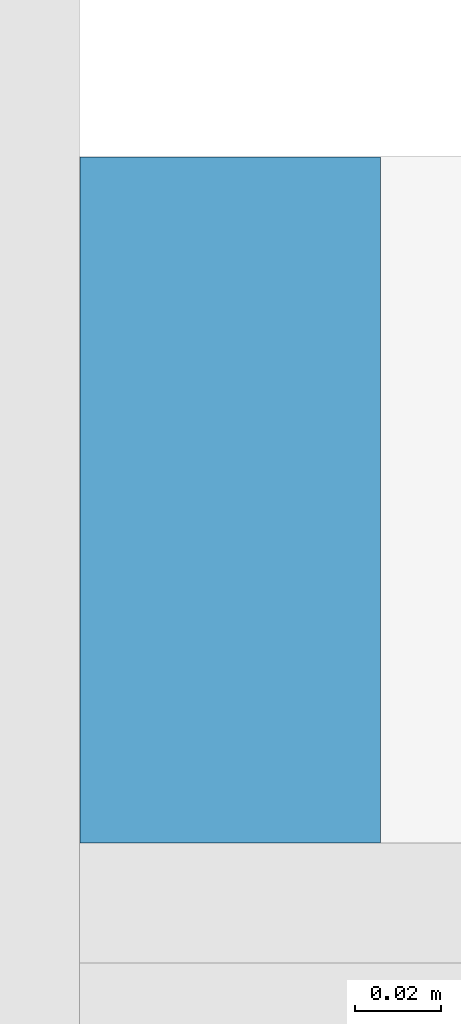
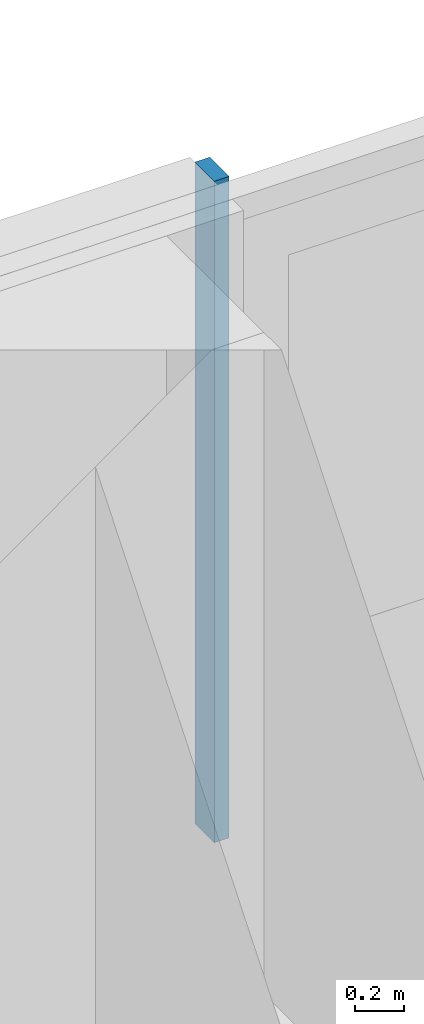
# One storey, part 12 of 30: 1 member, 1 element without a shape of its own.
"""IFC4 building model written with IfcOpenShell, lengths in metres."""

from ifc_helpers import new_model, si_unit, direction, frame, origin, origin_2d, place, context, subcontext, project, spatial, rectangle, extrude, material, material_profile, profile_set, type_object, element, aggregate, save


model = new_model("IFC4")

# Units and contexts
model_context = context("Model", 3, precision=1e-05, world=origin(), true_north=direction((0.0, 1.0)))
body_context = subcontext(model_context, "Body", "Model", "MODEL_VIEW")
ifc_project = project(units=[si_unit("LENGTHUNIT", "METRE"), si_unit("AREAUNIT", "SQUARE_METRE"), si_unit("VOLUMEUNIT", "CUBIC_METRE"), si_unit("PLANEANGLEUNIT", "RADIAN"), si_unit("MASSUNIT", "GRAM", prefix="KILO")], contexts=[model_context])

# Site, building, storey
site_placement = place(None, origin())
site = spatial("IfcSite", under=ifc_project, at=site_placement, CompositionType="ELEMENT")
building_placement = place(site_placement, origin())
building = spatial("IfcBuilding", under=site, at=building_placement, Name="Saffron Gate Tower", CompositionType="ELEMENT")
storey_placement = place(building_placement, frame((0.0, 0.0, 179.85009765625)))
storey = spatial("IfcBuildingStorey", under=building, at=storey_placement, Name="L44", CompositionType="ELEMENT", Elevation=179.85009765625)

# Curtain wall, member
ifc_material = material(Name="Aluminium, bronze anodised", Category="aluminium")
curtain_wall_type = type_object("IfcCurtainWallType", Name="CWS3 curtain wall rear facade", PredefinedType="NOTDEFINED", material=ifc_material)
curtain_wall_placement = place(storey_placement, origin())
curtain_wall = element("IfcCurtainWall", 1, at=curtain_wall_placement, inside=storey, type_object=curtain_wall_type, Name="CWS3 run 7", PredefinedType="NOTDEFINED")
ifc_material_profile = material_profile(ifc_material, rectangle(XDim=0.159912109375, YDim=0.070068359375, at=origin_2d()))
ifc_profile_set = profile_set([ifc_material_profile], Name="Aluminium, bronze anodised")
member_type = type_object("IfcMemberType", Name="CWS3 mullion 70x160", PredefinedType="MULLION", material=ifc_profile_set)
member_placement = place(storey_placement, frame((108.60009765625, 75.52001953125, 0.0), z_axis=(0.0, 0.0, 1.0), x_axis=(0.0, -1.0, 0.0)))
member = element("IfcMember", 2, at=member_placement, type_object=member_type, Name="CWS3 mullion 3", PredefinedType="MULLION", context=body_context, shape_type="SweptSolid", body=[
    extrude(rectangle(XDim=0.159912109375, YDim=0.070068359375, at=origin_2d()), origin(), (0.0, 0.0, 1.0), 3.31982421875),
])
aggregate(curtain_wall, [member])

save(model, "model.ifc")
